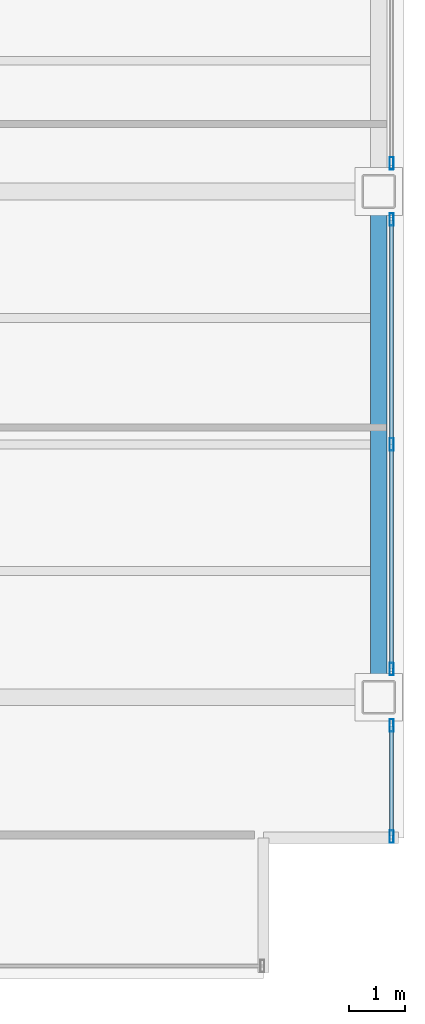
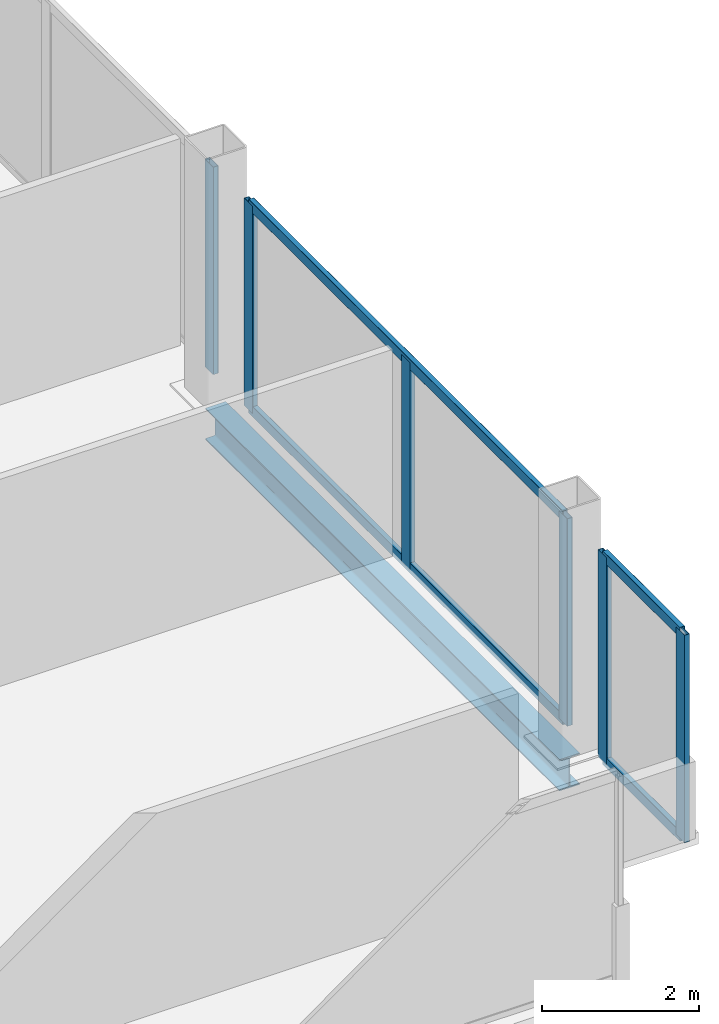
# One storey, part 10 of 20: 10 members, 1 beam, 3 elements without a shape of their own.
"""IFC4 building model written with IfcOpenShell, lengths in metres."""

from ifc_helpers import new_model, si_unit, direction, frame, origin, origin_2d, place, context, subcontext, project, spatial, hollow_rectangle, i_section, extrude, material, material_profile, profile_set, type_object, element, aggregate, save


model = new_model("IFC4")

# Units and contexts
model_context = context("Model", 3, precision=1e-05, world=origin(), true_north=direction((0.0, 1.0)))
body_context = subcontext(model_context, "Body", "Model", "MODEL_VIEW")
ifc_project = project(units=[si_unit("LENGTHUNIT", "METRE"), si_unit("AREAUNIT", "SQUARE_METRE"), si_unit("VOLUMEUNIT", "CUBIC_METRE"), si_unit("PLANEANGLEUNIT", "RADIAN"), si_unit("MASSUNIT", "GRAM", prefix="KILO")], contexts=[model_context])

# Site, building, storey
site_placement = place(None, origin())
site = spatial("IfcSite", under=ifc_project, at=site_placement, CompositionType="ELEMENT")
building_placement = place(site_placement, origin())
building = spatial("IfcBuilding", under=site, at=building_placement, Name="Noeulbin Bourse Tower", CompositionType="ELEMENT")
storey_placement = place(building_placement, frame((0.0, 0.0, 69.39990234375)))
storey = spatial("IfcBuildingStorey", under=building, at=storey_placement, Name="L17", CompositionType="ELEMENT", Elevation=69.39990234375)

# Beam
ifc_material_1 = material(Name="Steel S355", Category="steel")
ifc_material_profile_1 = material_profile(ifc_material_1, i_section(OverallWidth=0.300048828125, OverallDepth=0.488037109375, WebThickness=0.010986328125, FlangeThickness=0.01806640625, FilletRadius=0.02197265625, at=origin_2d()), Name="H-488x300x11x18", Category="LoadBearing")
ifc_profile_set_1 = profile_set([ifc_material_profile_1], Name="Steel S355")
beam_type = type_object("IfcBeamType", Name="BM-SPN-488", PredefinedType="SPANDREL", material=ifc_profile_set_1)
beam_placement = place(storey_placement, frame((57.050048828125, 20.0, -0.423828125), z_axis=(0.0, 1.0, 0.0), x_axis=(-1.0, 0.0, 0.0)))
element("IfcBeam", 1, at=beam_placement, inside=storey, type_object=beam_type, Name="East Spandrel L17-1", PredefinedType="SPANDREL", context=body_context, shape_type="SweptSolid", body=[
    extrude(i_section(OverallWidth=0.300048828125, OverallDepth=0.488037109375, WebThickness=0.010986328125, FlangeThickness=0.01806640625, FilletRadius=0.02197265625, at=origin_2d()), origin(), (0.0, 0.0, 1.0), 9.0),
])

# Curtain wall, members
ifc_material_2 = material(Name="Dark Solar-Control Double Glazing", Category="glass")
curtain_wall_type = type_object("IfcCurtainWallType", Name="CW-SYS-2", PredefinedType="NOTDEFINED", material=ifc_material_2)
curtain_wall_1_placement = place(storey_placement, origin())
curtain_wall_1 = element("IfcCurtainWall", 2, at=curtain_wall_1_placement, inside=storey, type_object=curtain_wall_type, Name="Unitised Curtain Wall CW-L17-E-S1", PredefinedType="NOTDEFINED")
ifc_material_3 = material(Name="Anodised Aluminium 6063-T6", Category="aluminium")
ifc_material_profile_2 = material_profile(ifc_material_3, hollow_rectangle(XDim=0.074951171875, YDim=0.219970703125, WallThickness=0.0048828125, InnerFilletRadius=0.00244140625, OuterFilletRadius=0.0048828125, at=origin_2d()), Name="ALU-MULL-75x220x5", Category="LoadBearing")
ifc_profile_set_2 = profile_set([ifc_material_profile_2], Name="Anodised Aluminium 6063-T6")
member_type_1 = type_object("IfcMemberType", Name="CW-SYS-2-MUL", PredefinedType="MULLION", material=ifc_profile_set_2)
member_1_placement = place(storey_placement, frame((57.280029296875, 17.52001953125, -0.02001953125), z_axis=(0.0, 0.0, 1.0), x_axis=(1.0, 0.0, 0.0)))
member_1 = element("IfcMember", 3, at=member_1_placement, type_object=member_type_1, Name="Curtain Wall Mullion CW-L17-E-S1-M00", PredefinedType="MULLION", context=body_context, shape_type="SweptSolid", body=[
    extrude(hollow_rectangle(XDim=0.074951171875, YDim=0.219970703125, WallThickness=0.0048828125, InnerFilletRadius=0.00244140625, OuterFilletRadius=0.0048828125, at=origin_2d()), origin(), (0.0, 0.0, 1.0), 3.22021484375),
])
member_2_placement = place(storey_placement, frame((57.280029296875, 19.5, -0.02001953125), z_axis=(0.0, 0.0, 1.0), x_axis=(1.0, 0.0, 0.0)))
member_2 = element("IfcMember", 4, at=member_2_placement, type_object=member_type_1, Name="Curtain Wall Mullion CW-L17-E-S1-M01", PredefinedType="MULLION", context=body_context, shape_type="SweptSolid", body=[
    extrude(hollow_rectangle(XDim=0.074951171875, YDim=0.219970703125, WallThickness=0.0048828125, InnerFilletRadius=0.00244140625, OuterFilletRadius=0.0048828125, at=origin_2d()), origin(), (0.0, 0.0, 1.0), 3.22021484375),
])

curtain_wall_2_placement = place(storey_placement, origin())
curtain_wall_2 = element("IfcCurtainWall", 5, at=curtain_wall_2_placement, inside=storey, type_object=curtain_wall_type, Name="Unitised Curtain Wall CW-L17-E-S2", PredefinedType="NOTDEFINED")
member_3_placement = place(storey_placement, frame((57.280029296875, 20.5, -0.02001953125), z_axis=(0.0, 0.0, 1.0), x_axis=(1.0, 0.0, 0.0)))
member_3 = element("IfcMember", 6, at=member_3_placement, type_object=member_type_1, Name="Curtain Wall Mullion CW-L17-E-S2-M00", PredefinedType="MULLION", context=body_context, shape_type="SweptSolid", body=[
    extrude(hollow_rectangle(XDim=0.074951171875, YDim=0.219970703125, WallThickness=0.0048828125, InnerFilletRadius=0.00244140625, OuterFilletRadius=0.0048828125, at=origin_2d()), origin(), (0.0, 0.0, 1.0), 3.22021484375),
])
member_4_placement = place(storey_placement, frame((57.280029296875, 24.5, -0.02001953125), z_axis=(0.0, 0.0, 1.0), x_axis=(1.0, 0.0, 0.0)))
member_4 = element("IfcMember", 7, at=member_4_placement, type_object=member_type_1, Name="Curtain Wall Mullion CW-L17-E-S2-M01", PredefinedType="MULLION", context=body_context, shape_type="SweptSolid", body=[
    extrude(hollow_rectangle(XDim=0.074951171875, YDim=0.219970703125, WallThickness=0.0048828125, InnerFilletRadius=0.00244140625, OuterFilletRadius=0.0048828125, at=origin_2d()), origin(), (0.0, 0.0, 1.0), 3.22021484375),
])
member_5_placement = place(storey_placement, frame((57.280029296875, 28.5, -0.02001953125), z_axis=(0.0, 0.0, 1.0), x_axis=(1.0, 0.0, 0.0)))
member_5 = element("IfcMember", 8, at=member_5_placement, type_object=member_type_1, Name="Curtain Wall Mullion CW-L17-E-S2-M02", PredefinedType="MULLION", context=body_context, shape_type="SweptSolid", body=[
    extrude(hollow_rectangle(XDim=0.074951171875, YDim=0.219970703125, WallThickness=0.0048828125, InnerFilletRadius=0.00244140625, OuterFilletRadius=0.0048828125, at=origin_2d()), origin(), (0.0, 0.0, 1.0), 3.22021484375),
])

# Curtain wall, member
curtain_wall_3_placement = place(storey_placement, origin())
curtain_wall_3 = element("IfcCurtainWall", 9, at=curtain_wall_3_placement, inside=storey, type_object=curtain_wall_type, Name="Unitised Curtain Wall CW-L17-E-S3", PredefinedType="NOTDEFINED")
member_6_placement = place(storey_placement, frame((57.280029296875, 29.5, -0.02001953125), z_axis=(0.0, 0.0, 1.0), x_axis=(1.0, 0.0, 0.0)))
member_6 = element("IfcMember", 10, at=member_6_placement, type_object=member_type_1, Name="Curtain Wall Mullion CW-L17-E-S3-M00", PredefinedType="MULLION", context=body_context, shape_type="SweptSolid", body=[
    extrude(hollow_rectangle(XDim=0.074951171875, YDim=0.219970703125, WallThickness=0.0048828125, InnerFilletRadius=0.00244140625, OuterFilletRadius=0.0048828125, at=origin_2d()), origin(), (0.0, 0.0, 1.0), 3.22021484375),
])
aggregate(curtain_wall_3, [member_6])

# Member
ifc_material_profile_3 = material_profile(ifc_material_3, hollow_rectangle(XDim=0.074951171875, YDim=0.159912109375, WallThickness=0.0048828125, InnerFilletRadius=0.00244140625, OuterFilletRadius=0.0048828125, at=origin_2d()), Name="ALU-TRAN-75x160x5", Category="LoadBearing")
ifc_profile_set_3 = profile_set([ifc_material_profile_3], Name="Anodised Aluminium 6063-T6")
member_type_2 = type_object("IfcMemberType", Name="CW-SYS-2-TRN", PredefinedType="USERDEFINED", material=ifc_profile_set_3)
member_7_placement = place(storey_placement, frame((57.280029296875, 17.530029296875, 0.010009765625), z_axis=(0.0, 1.0, 0.0), x_axis=(-1.0, 0.0, 0.0)))
member_7 = element("IfcMember", 11, at=member_7_placement, type_object=member_type_2, Name="Curtain Wall Transom CW-L17-E-S1-T00", ObjectType="TRANSOM", PredefinedType="USERDEFINED", context=body_context, shape_type="SweptSolid", body=[
    extrude(hollow_rectangle(XDim=0.074951171875, YDim=0.159912109375, WallThickness=0.0048828125, InnerFilletRadius=0.00244140625, OuterFilletRadius=0.0048828125, at=origin_2d()), origin(), (0.0, 0.0, 1.0), 1.9599609375),
])

member_8_placement = place(storey_placement, frame((57.280029296875, 17.530029296875, 3.170166015625), z_axis=(0.0, 1.0, 0.0), x_axis=(-1.0, 0.0, 0.0)))
member_8 = element("IfcMember", 12, at=member_8_placement, type_object=member_type_2, Name="Curtain Wall Transom CW-L17-E-S1-T01", ObjectType="TRANSOM", PredefinedType="USERDEFINED", context=body_context, shape_type="SweptSolid", body=[
    extrude(hollow_rectangle(XDim=0.074951171875, YDim=0.159912109375, WallThickness=0.0048828125, InnerFilletRadius=0.00244140625, OuterFilletRadius=0.0048828125, at=origin_2d()), origin(), (0.0, 0.0, 1.0), 1.9599609375),
])

aggregate(curtain_wall_1, [member_1, member_2, member_7, member_8])

member_9_placement = place(storey_placement, frame((57.280029296875, 20.510009765625, 0.010009765625), z_axis=(0.0, 1.0, 0.0), x_axis=(-1.0, 0.0, 0.0)))
member_9 = element("IfcMember", 13, at=member_9_placement, type_object=member_type_2, Name="Curtain Wall Transom CW-L17-E-S2-T00", ObjectType="TRANSOM", PredefinedType="USERDEFINED", context=body_context, shape_type="SweptSolid", body=[
    extrude(hollow_rectangle(XDim=0.074951171875, YDim=0.159912109375, WallThickness=0.0048828125, InnerFilletRadius=0.00244140625, OuterFilletRadius=0.0048828125, at=origin_2d()), origin(), (0.0, 0.0, 1.0), 7.97998046875),
])

member_10_placement = place(storey_placement, frame((57.280029296875, 20.510009765625, 3.170166015625), z_axis=(0.0, 1.0, 0.0), x_axis=(-1.0, 0.0, 0.0)))
member_10 = element("IfcMember", 14, at=member_10_placement, type_object=member_type_2, Name="Curtain Wall Transom CW-L17-E-S2-T01", ObjectType="TRANSOM", PredefinedType="USERDEFINED", context=body_context, shape_type="SweptSolid", body=[
    extrude(hollow_rectangle(XDim=0.074951171875, YDim=0.159912109375, WallThickness=0.0048828125, InnerFilletRadius=0.00244140625, OuterFilletRadius=0.0048828125, at=origin_2d()), origin(), (0.0, 0.0, 1.0), 7.97998046875),
])

aggregate(curtain_wall_2, [member_3, member_4, member_5, member_9, member_10])

save(model, "model.ifc")
